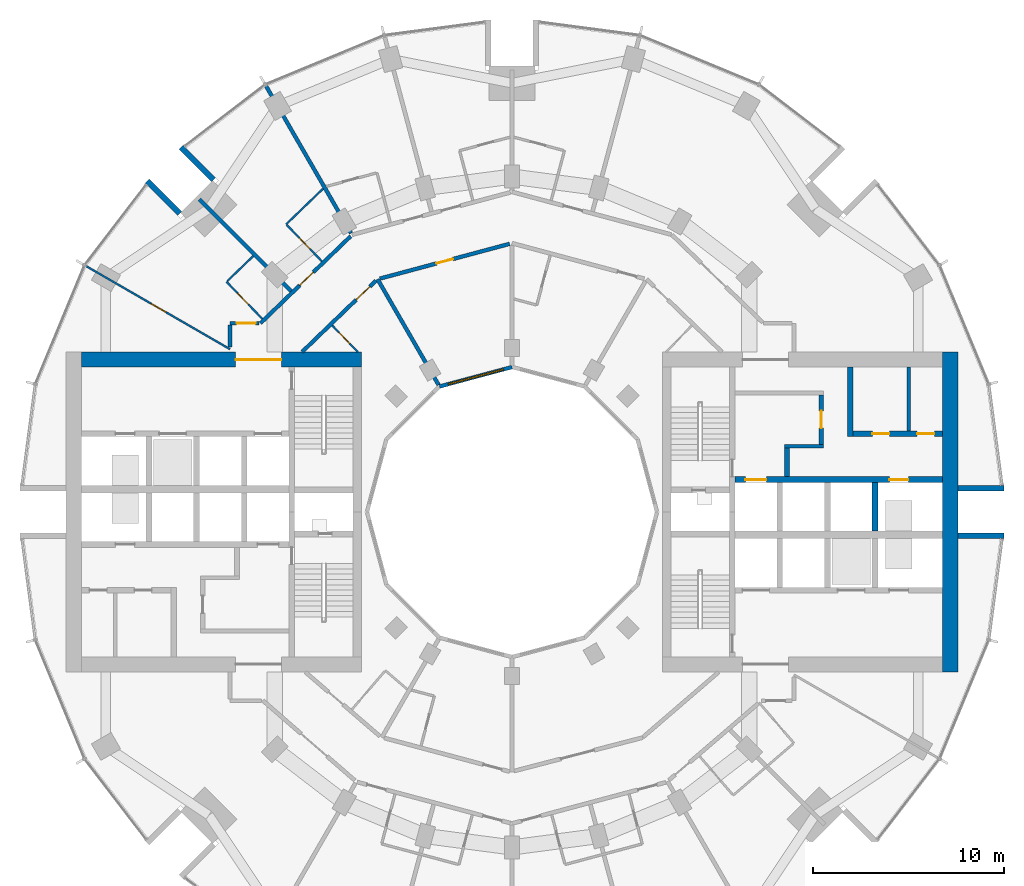
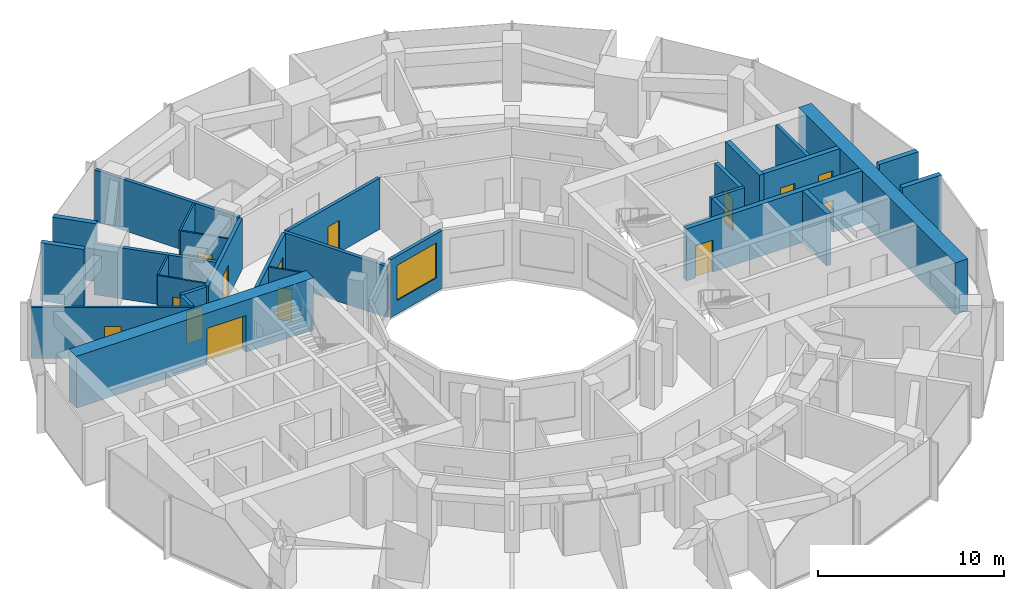
# One storey, part 11 of 15: 29 walls, 14 doors, 1 window, 15 openings.
"""IFC4 building model written with IfcOpenShell, lengths in metres."""

from ifc_helpers import new_model, si_unit, direction, frame, frame_2d, origin, place, context, subcontext, project, spatial, rectangle, extrude, material, layer, layer_set, type_object, element, fill, save


model = new_model("IFC4")

# Units and contexts
model_context = context("Model", 3, precision=1e-05, world=origin(), true_north=direction((0.0, 1.0)))
body_context = subcontext(model_context, "Body", "Model", "MODEL_VIEW")
ifc_project = project(units=[si_unit("LENGTHUNIT", "METRE"), si_unit("AREAUNIT", "SQUARE_METRE"), si_unit("VOLUMEUNIT", "CUBIC_METRE"), si_unit("PLANEANGLEUNIT", "RADIAN"), si_unit("MASSUNIT", "GRAM", prefix="KILO")], contexts=[model_context])

# Site, building, storey
site_placement = place(None, origin())
site = spatial("IfcSite", under=ifc_project, at=site_placement, CompositionType="ELEMENT")
building_placement = place(site_placement, origin())
building = spatial("IfcBuilding", under=site, at=building_placement, Name="Torre Brocal", CompositionType="ELEMENT")
storey_placement = place(building_placement, frame((0.0, 0.0, 70.60009765625)))
storey = spatial("IfcBuildingStorey", under=building, at=storey_placement, Name="L16", CompositionType="ELEMENT", Elevation=70.60009765625)

# Walls
ifc_material_1 = material(Name="Masonry block", Category="masonry")
ifc_layer_1 = layer(ifc_material_1, 0.199951171875)
ifc_layer_set_1 = layer_set([ifc_layer_1], Name="Masonry block")
wall_type_1 = type_object("IfcWallType", Name="CORE PARTITION 200 UNDER 400 SLAB", PredefinedType="PARTITIONING", material=ifc_layer_set_1)
wall_1_placement = place(storey_placement, frame((100.81396484375, 79.25, 0.0), z_axis=(0.0, 0.0, 1.0), x_axis=(0.0, 1.0, 0.0)))
element("IfcWall", 1, at=wall_1_placement, inside=storey, type_object=wall_type_1, Name="Wall CP200-S400", PredefinedType="PARTITIONING", context=body_context, shape_type="SweptSolid", body=[
    extrude(rectangle(XDim=3.35009765625, YDim=0.199951171875, at=frame_2d((1.675048828125, 0.0))), origin(), (0.0, 0.0, 1.0), 3.39990234375),
])
ifc_material_2 = material(Name="Concrete C80", Category="concrete")
ifc_layer_2 = layer(ifc_material_2, 0.199951171875)
ifc_layer_set_2 = layer_set([ifc_layer_2], Name="Concrete C80")
wall_type_2 = type_object("IfcWallType", Name="CORE WALL 200 C80 UNDER 400 SLAB", PredefinedType="SHEAR", material=ifc_layer_set_2)
wall_2_placement = place(storey_placement, frame((94.300048828125, 78.449951171875, 0.0), z_axis=(0.0, 0.0, 1.0), x_axis=(1.0, 0.0, 0.0)))
element("IfcWall", 2, at=wall_2_placement, inside=storey, type_object=wall_type_2, Name="Wall CW200-80-S400", PredefinedType="SHEAR", context=body_context, shape_type="SweptSolid", body=[
    extrude(rectangle(XDim=2.050048828125, YDim=0.199951171875, at=frame_2d((1.02490234375, 0.0))), origin(), (0.0, 0.0, 1.0), 3.39990234375),
])

# Wall, opening, door
ifc_material_3 = material(Name="Concrete C80", Category="concrete")
ifc_layer_3 = layer(ifc_material_3, 0.25)
ifc_layer_set_3 = layer_set([ifc_layer_3], Name="Concrete C80")
wall_type_3 = type_object("IfcWallType", Name="CORE WALL 250 C80 UNDER 400 SLAB", PredefinedType="SHEAR", material=ifc_layer_set_3)
wall_3_placement = place(storey_placement, frame((96.22509765625, 78.550048828125, 0.0), z_axis=(0.0, 0.0, 1.0), x_axis=(0.0, 1.0, 0.0)))
wall_3 = element("IfcWall", 3, at=wall_3_placement, inside=storey, type_object=wall_type_3, Name="Wall CW250-80-S400", PredefinedType="SHEAR", context=body_context, shape_type="SweptSolid", body=[
    extrude(rectangle(XDim=2.599853515625, YDim=0.25, at=frame_2d((1.2998046875, 0.0))), origin(), (0.0, 0.0, 1.0), 3.39990234375),
])
opening_1_placement = place(wall_3_placement, frame((0.85009765625, 0.0, 0.0)))
opening_1 = element("IfcOpeningElement", 4, at=opening_1_placement, cuts=wall_3, Name="Opening E-D15", PredefinedType="OPENING", context=body_context, shape_type="SweptSolid", body=[
    extrude(rectangle(XDim=0.89990234375, YDim=2.10009765625, at=frame_2d((0.449951171875, 1.050048828125))), frame((0.0, 0.135009765625, 0.0), z_axis=(0.0, -1.0, 0.0), x_axis=(1.0, 0.0, 0.0)), (0.0, 0.0, 1.0), 0.27001953125),
])
ifc_material_4 = material(Name="Steel A653", Category="steel")
door_type_1 = type_object("IfcDoorType", Name="LOBBY DOOR FD120 900X2100", OperationType="SINGLE_SWING_RIGHT", PredefinedType="DOOR", material=ifc_material_4)
door_1_placement = place(opening_1_placement, origin())
door_1 = element("IfcDoor", 5, at=door_1_placement, inside=storey, type_object=door_type_1, Name="Door E-D15", OperationType="SINGLE_SWING_LEFT", OverallHeight=2.10009765625, OverallWidth=0.89990234375, PredefinedType="DOOR", context=body_context, shape_type="SweptSolid", body=[
    extrude(rectangle(XDim=0.89990234375, YDim=2.10009765625, at=frame_2d((0.449951171875, 1.050048828125))), frame((0.0, 0.02490234375, 0.0), z_axis=(0.0, -1.0, 0.0), x_axis=(1.0, 0.0, 0.0)), (0.0, 0.0, 1.0), 0.050048828125),
])
fill(opening_1, door_1)

# Wall
wall_4_placement = place(storey_placement, frame((94.425048828125, 76.85009765625, 0.0), z_axis=(0.0, 0.0, 1.0), x_axis=(0.0, 1.0, 0.0)))
element("IfcWall", 6, at=wall_4_placement, inside=storey, type_object=wall_type_3, Name="Wall CW250-80-S400", PredefinedType="SHEAR", context=body_context, shape_type="SweptSolid", body=[
    extrude(rectangle(XDim=1.5, YDim=0.25, at=frame_2d((0.75, 0.0))), origin(), (0.0, 0.0, 1.0), 3.39990234375),
])

# Wall, openings, doors
ifc_material_5 = material(Name="Concrete C80", Category="concrete")
ifc_layer_4 = layer(ifc_material_5, 0.300048828125)
ifc_layer_set_4 = layer_set([ifc_layer_4], Name="Concrete C80")
wall_type_4 = type_object("IfcWallType", Name="CORE WALL 300 C80 UNDER 400 SLAB", PredefinedType="SHEAR", material=ifc_layer_set_4)
wall_5_placement = place(storey_placement, frame((91.699951171875, 76.699951171875, 0.0), z_axis=(0.0, 0.0, 1.0), x_axis=(1.0, 0.0, 0.0)))
wall_5 = element("IfcWall", 7, at=wall_5_placement, inside=storey, type_object=wall_type_4, Name="Wall CW300-80-S400", PredefinedType="SHEAR", context=body_context, shape_type="SweptSolid", body=[
    extrude(rectangle(XDim=10.900146484375, YDim=0.300048828125, at=frame_2d((5.4501953125, 0.0))), origin(), (0.0, 0.0, 1.0), 3.39990234375),
])
opening_2_placement = place(wall_5_placement, frame((0.550048828125, 0.0, 0.0)))
opening_2 = element("IfcOpeningElement", 8, at=opening_2_placement, cuts=wall_5, Name="Opening LD", PredefinedType="OPENING", context=body_context, shape_type="SweptSolid", body=[
    extrude(rectangle(XDim=1.10009765625, YDim=2.10009765625, at=frame_2d((0.550048828125, 1.050048828125))), frame((0.0, 0.159912109375, 0.0), z_axis=(0.0, -1.0, 0.0), x_axis=(1.0, 0.0, 0.0)), (0.0, 0.0, 1.0), 0.320068359375),
])
opening_3_placement = place(wall_5_placement, frame((8.10009765625, 0.0, 0.0)))
opening_3 = element("IfcOpeningElement", 9, at=opening_3_placement, cuts=wall_5, Name="Opening LD10", PredefinedType="OPENING", context=body_context, shape_type="SweptSolid", body=[
    extrude(rectangle(XDim=1.0, YDim=2.10009765625, at=frame_2d((0.5, 1.050048828125))), frame((0.0, 0.159912109375, 0.0), z_axis=(0.0, -1.0, 0.0), x_axis=(1.0, 0.0, 0.0)), (0.0, 0.0, 1.0), 0.320068359375),
])
ifc_material_6 = material(Name="Stainless steel AISI 316", Category="steel")
door_type_2 = type_object("IfcDoorType", Name="LIFT LANDING DOOR 1000X2100", OperationType="DOUBLE_DOOR_SLIDING", PredefinedType="DOOR", material=ifc_material_6)
door_2_placement = place(opening_3_placement, origin())
door_2 = element("IfcDoor", 10, at=door_2_placement, inside=storey, type_object=door_type_2, Name="Door LD10", OperationType="DOUBLE_DOOR_SLIDING", OverallHeight=2.10009765625, OverallWidth=1.0, PredefinedType="DOOR", context=body_context, shape_type="SweptSolid", body=[
    extrude(rectangle(XDim=1.0, YDim=2.10009765625, at=frame_2d((0.5, 1.050048828125))), frame((0.0, 0.02490234375, 0.0), z_axis=(0.0, -1.0, 0.0), x_axis=(1.0, 0.0, 0.0)), (0.0, 0.0, 1.0), 0.050048828125),
])
fill(opening_3, door_2)
ifc_material_7 = material(Name="Stainless steel AISI 316", Category="steel")
door_type_3 = type_object("IfcDoorType", Name="LIFT LANDING DOOR 1100X2100", OperationType="DOUBLE_DOOR_SLIDING", PredefinedType="DOOR", material=ifc_material_7)
door_3_placement = place(opening_2_placement, origin())
door_3 = element("IfcDoor", 11, at=door_3_placement, inside=storey, type_object=door_type_3, Name="Door LD", OperationType="DOUBLE_DOOR_SLIDING", OverallHeight=2.10009765625, OverallWidth=1.10009765625, PredefinedType="DOOR", context=body_context, shape_type="SweptSolid", body=[
    extrude(rectangle(XDim=1.10009765625, YDim=2.10009765625, at=frame_2d((0.550048828125, 1.050048828125))), frame((0.0, 0.02490234375, 0.0), z_axis=(0.0, -1.0, 0.0), x_axis=(1.0, 0.0, 0.0)), (0.0, 0.0, 1.0), 0.050048828125),
])
fill(opening_2, door_3)

# Walls
wall_6_placement = place(storey_placement, frame((99.050048828125, 74.0, 0.0), z_axis=(0.0, 0.0, 1.0), x_axis=(0.0, 1.0, 0.0)))
element("IfcWall", 12, at=wall_6_placement, inside=storey, type_object=wall_type_4, Name="Wall CW300-80-S400", PredefinedType="SHEAR", context=body_context, shape_type="SweptSolid", body=[
    extrude(rectangle(XDim=2.550048828125, YDim=0.300048828125, at=frame_2d((1.27490234375, 0.0))), origin(), (0.0, 0.0, 1.0), 3.39990234375),
])
wall_7_placement = place(storey_placement, frame((97.75, 78.949951171875, 0.0), z_axis=(0.0, 0.0, 1.0), x_axis=(0.0, 1.0, 0.0)))
element("IfcWall", 13, at=wall_7_placement, inside=storey, type_object=wall_type_4, Name="Wall CW300-80-S400", PredefinedType="SHEAR", context=body_context, shape_type="SweptSolid", body=[
    extrude(rectangle(XDim=3.650146484375, YDim=0.300048828125, at=frame_2d((1.8251953125, 0.0))), origin(), (0.0, 0.0, 1.0), 3.39990234375),
])

# Wall, openings, doors
wall_8_placement = place(storey_placement, frame((97.89990234375, 79.10009765625, 0.0), z_axis=(0.0, 0.0, 1.0), x_axis=(1.0, 0.0, 0.0)))
wall_8 = element("IfcWall", 14, at=wall_8_placement, inside=storey, type_object=wall_type_4, Name="Wall CW300-80-S400", PredefinedType="SHEAR", context=body_context, shape_type="SweptSolid", body=[
    extrude(rectangle(XDim=4.7001953125, YDim=0.300048828125, at=frame_2d((2.35009765625, 0.0))), origin(), (0.0, 0.0, 1.0), 3.39990234375),
])
opening_4_placement = place(wall_8_placement, frame((1.007080078125, 0.0, 0.0)))
opening_4 = element("IfcOpeningElement", 15, at=opening_4_placement, cuts=wall_8, Name="Opening E-D05", PredefinedType="OPENING", context=body_context, shape_type="SweptSolid", body=[
    extrude(rectangle(XDim=0.89990234375, YDim=2.10009765625, at=frame_2d((0.449951171875, 1.050048828125))), frame((0.0, 0.159912109375, 0.0), z_axis=(0.0, -1.0, 0.0), x_axis=(1.0, 0.0, 0.0)), (0.0, 0.0, 1.0), 0.320068359375),
])
opening_5_placement = place(wall_8_placement, frame((3.35693359375, 0.0, 0.0)))
opening_5 = element("IfcOpeningElement", 16, at=opening_5_placement, cuts=wall_8, Name="Opening E-D06", PredefinedType="OPENING", context=body_context, shape_type="SweptSolid", body=[
    extrude(rectangle(XDim=0.89990234375, YDim=2.10009765625, at=frame_2d((0.449951171875, 1.050048828125))), frame((0.0, 0.159912109375, 0.0), z_axis=(0.0, -1.0, 0.0), x_axis=(1.0, 0.0, 0.0)), (0.0, 0.0, 1.0), 0.320068359375),
])
ifc_material_8 = material(Name="Steel A653", Category="steel")
door_type_4 = type_object("IfcDoorType", Name="ROOM DOOR FD30S 900X2100", OperationType="SINGLE_SWING_LEFT", PredefinedType="DOOR", material=ifc_material_8)
door_4_placement = place(opening_4_placement, origin())
door_4 = element("IfcDoor", 17, at=door_4_placement, inside=storey, type_object=door_type_4, Name="Door E-D05", OperationType="SINGLE_SWING_RIGHT", OverallHeight=2.10009765625, OverallWidth=0.89990234375, PredefinedType="DOOR", context=body_context, shape_type="SweptSolid", body=[
    extrude(rectangle(XDim=0.89990234375, YDim=2.10009765625, at=frame_2d((0.449951171875, 1.050048828125))), frame((0.0, 0.02490234375, 0.0), z_axis=(0.0, -1.0, 0.0), x_axis=(1.0, 0.0, 0.0)), (0.0, 0.0, 1.0), 0.050048828125),
])
fill(opening_4, door_4)
door_5_placement = place(opening_5_placement, origin())
door_5 = element("IfcDoor", 18, at=door_5_placement, inside=storey, type_object=door_type_4, Name="Door E-D06", OperationType="SINGLE_SWING_LEFT", OverallHeight=2.10009765625, OverallWidth=0.89990234375, PredefinedType="DOOR", context=body_context, shape_type="SweptSolid", body=[
    extrude(rectangle(XDim=0.89990234375, YDim=2.10009765625, at=frame_2d((0.449951171875, 1.050048828125))), frame((0.0, 0.02490234375, 0.0), z_axis=(0.0, -1.0, 0.0), x_axis=(1.0, 0.0, 0.0)), (0.0, 0.0, 1.0), 0.050048828125),
])
fill(opening_5, door_5)

# Wall
ifc_material_9 = material(Name="Concrete C80", Category="concrete")
ifc_layer_5 = layer(ifc_material_9, 0.800048828125)
ifc_layer_set_5 = layer_set([ifc_layer_5], Name="Concrete C80")
wall_type_5 = type_object("IfcWallType", Name="CORE WALL 800 C80 UNDER 400 SLAB", PredefinedType="SHEAR", material=ifc_layer_set_5)
wall_9_placement = place(storey_placement, frame((103.0, 66.60009765625, 0.0), z_axis=(0.0, 0.0, 1.0), x_axis=(0.0, 1.0, 0.0)))
element("IfcWall", 19, at=wall_9_placement, inside=storey, type_object=wall_type_5, Name="Wall CW800-80-S400", PredefinedType="SHEAR", context=body_context, shape_type="SweptSolid", body=[
    extrude(rectangle(XDim=16.7998046875, YDim=0.800048828125, at=frame_2d((8.39990234375, 0.0))), origin(), (0.0, 0.0, 1.0), 3.39990234375),
])

# Wall, opening, door
wall_10_placement = place(storey_placement, frame((72.10009765625, 83.0, 0.0), z_axis=(0.0, 0.0, 1.0), x_axis=(-1.0, 0.0, 0.0)))
wall_10 = element("IfcWall", 20, at=wall_10_placement, inside=storey, type_object=wall_type_5, Name="Wall CW800-80-S400", PredefinedType="SHEAR", context=body_context, shape_type="SweptSolid", body=[
    extrude(rectangle(XDim=14.7001953125, YDim=0.800048828125, at=frame_2d((7.35009765625, 0.0))), origin(), (0.0, 0.0, 1.0), 3.39990234375),
])
opening_6_placement = place(wall_10_placement, frame((4.199951171875, 0.0, 0.0)))
opening_6 = element("IfcOpeningElement", 21, at=opening_6_placement, cuts=wall_10, Name="Opening W-D27", PredefinedType="OPENING", context=body_context, shape_type="SweptSolid", body=[
    extrude(rectangle(XDim=2.39990234375, YDim=2.39990234375, at=frame_2d((1.199951171875, 1.199951171875))), frame((0.0, 0.409912109375, 0.0), z_axis=(0.0, -1.0, 0.0), x_axis=(1.0, 0.0, 0.0)), (0.0, 0.0, 1.0), 0.820068359375),
])
ifc_material_10 = material(Name="Steel A653", Category="steel")
door_type_5 = type_object("IfcDoorType", Name="DOUBLE FIRE DOOR FD90 2400X2400", OperationType="DOUBLE_DOOR_SINGLE_SWING", PredefinedType="DOOR", material=ifc_material_10)
door_6_placement = place(opening_6_placement, origin())
door_6 = element("IfcDoor", 22, at=door_6_placement, inside=storey, type_object=door_type_5, Name="Door W-D27", OperationType="DOUBLE_DOOR_SINGLE_SWING", OverallHeight=2.39990234375, OverallWidth=2.39990234375, PredefinedType="DOOR", context=body_context, shape_type="SweptSolid", body=[
    extrude(rectangle(XDim=2.39990234375, YDim=2.39990234375, at=frame_2d((1.199951171875, 1.199951171875))), frame((0.0, 0.02490234375, 0.0), z_axis=(0.0, -1.0, 0.0), x_axis=(1.0, 0.0, 0.0)), (0.0, 0.0, 1.0), 0.050048828125),
])
fill(opening_6, door_6)

# Walls
ifc_material_11 = material(Name="Concrete C80", Category="concrete")
ifc_layer_6 = layer(ifc_material_11, 0.300048828125)
ifc_layer_set_6 = layer_set([ifc_layer_6], Name="Concrete C80")
wall_type_6 = type_object("IfcWallType", Name="NOTCH RETURN WALL 300 C80", PredefinedType="NOTDEFINED", material=ifc_layer_set_6)
for number, where, z_axis, x_axis, name in (
    (23, (103.39990234375, 73.75, 0.0), (0.0, 0.0, 1.0), (1.0, 0.0, 0.0), "NOTCH RETURN WALL"),
    (24, (103.39990234375, 76.25, 0.0), (0.0, 0.0, 1.0), (1.0, 0.0, 0.0), "NOTCH RETURN WALL"),
    (25, (64.337646484375, 92.43017578125, 0.0), (0.0, 0.0, 1.0), (-0.707106781187, 0.707106781187, 0.0), "NOTCH RETURN WALL"),
    (26, (62.56982421875, 90.662353515625, 0.0), (0.0, 0.0, 1.0), (-0.707106781187, 0.707106781187, 0.0), "NOTCH RETURN WALL"),
):
    element("IfcWall", number, at=place(storey_placement, frame(where, z_axis=z_axis, x_axis=x_axis)), inside=storey, type_object=wall_type_6, Name=name, PredefinedType="NOTDEFINED", context=body_context, shape_type="SweptSolid", body=[
        extrude(rectangle(XDim=2.415771484375, YDim=0.300048828125, at=frame_2d((1.2080078125, 0.0))), origin(), (0.0, 0.0, 1.0), 3.7998046875),
    ])

# Wall, opening, door
ifc_material_12 = material(Name="Gypsum board", Category="Gypsum")
ifc_layer_7 = layer(ifc_material_12, 0.10009765625)
ifc_layer_set_7 = layer_set([ifc_layer_7], Name="Gypsum board")
wall_type_7 = type_object("IfcWallType", Name="PARTITION 100", PredefinedType="PARTITIONING", material=ifc_layer_set_7)
wall_11_placement = place(storey_placement, frame((57.65869140625, 87.89892578125, 0.0), z_axis=(0.0, 0.0, 1.0), x_axis=(0.86602264145, -0.500004784474, 0.0)))
wall_11 = element("IfcWall", 27, at=wall_11_placement, inside=storey, type_object=wall_type_7, Name="ROOM PARTITION", PredefinedType="PARTITIONING", context=body_context, shape_type="SweptSolid", body=[
    extrude(rectangle(XDim=8.7080078125, YDim=0.10009765625, at=frame_2d((4.35400390625, 0.0))), origin(), (0.0, 0.0, 1.0), 3.349853515625),
])
opening_7_placement = place(wall_11_placement, frame((3.928955078125, 0.0, 0.0)))
opening_7 = element("IfcOpeningElement", 28, at=opening_7_placement, cuts=wall_11, Name="Opening H04-D12", PredefinedType="OPENING", context=body_context, shape_type="SweptSolid", body=[
    extrude(rectangle(XDim=0.89990234375, YDim=2.10009765625, at=frame_2d((0.449951171875, 1.050048828125))), frame((0.0, 0.06005859375, 0.0), z_axis=(0.0, -1.0, 0.0), x_axis=(1.0, 0.0, 0.0)), (0.0, 0.0, 1.0), 0.1201171875),
])
ifc_material_13 = material(Name="Timber", Category="wood")
door_type_6 = type_object("IfcDoorType", Name="ROOM DOOR 900X2100", OperationType="SINGLE_SWING_LEFT", PredefinedType="DOOR", material=ifc_material_13)
door_7_placement = place(opening_7_placement, frame((0.89990234375, 0.0, 0.0), z_axis=(0.0, 0.0, 1.0), x_axis=(-1.0, 0.0, 0.0)))
door_7 = element("IfcDoor", 29, at=door_7_placement, inside=storey, type_object=door_type_6, Name="H04-D12", OperationType="SINGLE_SWING_LEFT", OverallHeight=2.10009765625, OverallWidth=0.89990234375, PredefinedType="DOOR", context=body_context, shape_type="SweptSolid", body=[
    extrude(rectangle(XDim=0.89990234375, YDim=2.10009765625, at=frame_2d((0.449951171875, 1.050048828125))), frame((0.0, 0.02490234375, 0.0), z_axis=(0.0, -1.0, 0.0), x_axis=(1.0, 0.0, 0.0)), (0.0, 0.0, 1.0), 0.050048828125),
])
fill(opening_7, door_7)

# Wall
wall_12_placement = place(storey_placement, frame((65.058837890625, 87.11376953125, 0.0), z_axis=(0.0, 0.0, 1.0), x_axis=(0.719715847356, 0.694268751324, 0.0)))
element("IfcWall", 30, at=wall_12_placement, inside=storey, type_object=wall_type_7, Name="BATHROOM WALL", PredefinedType="PARTITIONING", context=body_context, shape_type="SweptSolid", body=[
    extrude(rectangle(XDim=1.899658203125, YDim=0.10009765625, at=frame_2d((0.94970703125, 0.0))), origin(), (0.0, 0.0, 1.0), 3.349853515625),
])

# Wall, opening, door
wall_13_placement = place(storey_placement, frame((65.02294921875, 87.0791015625, 0.0), z_axis=(0.0, 0.0, 1.0), x_axis=(0.694287838235, -0.719697434815, 0.0)))
wall_13 = element("IfcWall", 31, at=wall_13_placement, inside=storey, type_object=wall_type_7, Name="BATHROOM WALL", PredefinedType="PARTITIONING", context=body_context, shape_type="SweptSolid", body=[
    extrude(rectangle(XDim=2.699951171875, YDim=0.10009765625, at=frame_2d((1.35009765625, 0.0))), origin(), (0.0, 0.0, 1.0), 3.349853515625),
])
opening_8_placement = place(wall_13_placement, frame((0.849853515625, 0.0, 0.0)))
opening_8 = element("IfcOpeningElement", 32, at=opening_8_placement, cuts=wall_13, Name="Opening H04-D11", PredefinedType="OPENING", context=body_context, shape_type="SweptSolid", body=[
    extrude(rectangle(XDim=0.800048828125, YDim=2.10009765625, at=frame_2d((0.39990234375, 1.050048828125))), frame((0.0, 0.06005859375, 0.0), z_axis=(0.0, -1.0, 0.0), x_axis=(1.0, 0.0, 0.0)), (0.0, 0.0, 1.0), 0.1201171875),
])
ifc_material_14 = material(Name="Timber", Category="wood")
door_type_7 = type_object("IfcDoorType", Name="BATHROOM DOOR 800X2100", OperationType="SINGLE_SWING_LEFT", PredefinedType="DOOR", material=ifc_material_14)
door_8_placement = place(opening_8_placement, origin())
door_8 = element("IfcDoor", 33, at=door_8_placement, inside=storey, type_object=door_type_7, Name="H04-D11", OperationType="SINGLE_SWING_LEFT", OverallHeight=2.10009765625, OverallWidth=0.800048828125, PredefinedType="DOOR", context=body_context, shape_type="SweptSolid", body=[
    extrude(rectangle(XDim=0.800048828125, YDim=2.10009765625, at=frame_2d((0.39990234375, 1.050048828125))), frame((0.0, 0.02490234375, 0.0), z_axis=(0.0, -1.0, 0.0), x_axis=(1.0, 0.0, 0.0)), (0.0, 0.0, 1.0), 0.050048828125),
])
fill(opening_8, door_8)

wall_14_placement = place(storey_placement, frame((68.184814453125, 90.06005859375, 0.0), z_axis=(0.0, 0.0, 1.0), x_axis=(0.69446127412, -0.719530081892, 0.0)))
wall_14 = element("IfcWall", 34, at=wall_14_placement, inside=storey, type_object=wall_type_7, Name="BATHROOM WALL", PredefinedType="PARTITIONING", context=body_context, shape_type="SweptSolid", body=[
    extrude(rectangle(XDim=2.64892578125, YDim=0.10009765625, at=frame_2d((1.324462890625, 0.0))), origin(), (0.0, 0.0, 1.0), 3.349853515625),
])
opening_9_placement = place(wall_14_placement, frame((0.94970703125, 0.0, 0.0)))
opening_9 = element("IfcOpeningElement", 35, at=opening_9_placement, cuts=wall_14, Name="Opening H04-D09", PredefinedType="OPENING", context=body_context, shape_type="SweptSolid", body=[
    extrude(rectangle(XDim=0.800048828125, YDim=2.10009765625, at=frame_2d((0.39990234375, 1.050048828125))), frame((0.0, 0.06005859375, 0.0), z_axis=(0.0, -1.0, 0.0), x_axis=(1.0, 0.0, 0.0)), (0.0, 0.0, 1.0), 0.1201171875),
])
door_9_placement = place(opening_9_placement, origin())
door_9 = element("IfcDoor", 36, at=door_9_placement, inside=storey, type_object=door_type_7, Name="H04-D09", OperationType="SINGLE_SWING_RIGHT", OverallHeight=2.10009765625, OverallWidth=0.800048828125, PredefinedType="DOOR", context=body_context, shape_type="SweptSolid", body=[
    extrude(rectangle(XDim=0.800048828125, YDim=2.10009765625, at=frame_2d((0.39990234375, 1.050048828125))), frame((0.0, 0.02490234375, 0.0), z_axis=(0.0, -1.0, 0.0), x_axis=(1.0, 0.0, 0.0)), (0.0, 0.0, 1.0), 0.050048828125),
])
fill(opening_9, door_9)

# Wall
wall_15_placement = place(storey_placement, frame((68.150146484375, 90.095947265625, 0.0), z_axis=(0.0, 0.0, 1.0), x_axis=(0.719669144226, 0.694317163009, 0.0)))
element("IfcWall", 37, at=wall_15_placement, inside=storey, type_object=wall_type_7, Name="BATHROOM WALL", PredefinedType="PARTITIONING", context=body_context, shape_type="SweptSolid", body=[
    extrude(rectangle(XDim=2.686767578125, YDim=0.10009765625, at=frame_2d((1.34326171875, 0.0))), origin(), (0.0, 0.0, 1.0), 3.349853515625),
])

# Wall, opening, door
wall_16_placement = place(storey_placement, frame((70.5673828125, 84.785888671875, 0.0), z_axis=(0.0, 0.0, 1.0), x_axis=(0.694447472534, -0.719543402368, 0.0)))
wall_16 = element("IfcWall", 38, at=wall_16_placement, inside=storey, type_object=wall_type_7, Name="BATHROOM WALL", PredefinedType="PARTITIONING", context=body_context, shape_type="SweptSolid", body=[
    extrude(rectangle(XDim=1.92626953125, YDim=0.10009765625, at=frame_2d((0.963134765625, 0.0))), origin(), (0.0, 0.0, 1.0), 3.349853515625),
])
opening_10_placement = place(wall_16_placement, frame((0.51318359375, 0.0, 0.0)))
opening_10 = element("IfcOpeningElement", 39, at=opening_10_placement, cuts=wall_16, Name="Opening H04-D19", PredefinedType="OPENING", context=body_context, shape_type="SweptSolid", body=[
    extrude(rectangle(XDim=0.800048828125, YDim=2.10009765625, at=frame_2d((0.39990234375, 1.050048828125))), frame((0.0, 0.06005859375, 0.0), z_axis=(0.0, -1.0, 0.0), x_axis=(1.0, 0.0, 0.0)), (0.0, 0.0, 1.0), 0.1201171875),
])
door_10_placement = place(opening_10_placement, frame((0.800048828125, 0.0, 0.0), z_axis=(0.0, 0.0, 1.0), x_axis=(-1.0, 0.0, 0.0)))
door_10 = element("IfcDoor", 40, at=door_10_placement, inside=storey, type_object=door_type_7, Name="H04-D19", OperationType="SINGLE_SWING_RIGHT", OverallHeight=2.10009765625, OverallWidth=0.800048828125, PredefinedType="DOOR", context=body_context, shape_type="SweptSolid", body=[
    extrude(rectangle(XDim=0.800048828125, YDim=2.10009765625, at=frame_2d((0.39990234375, 1.050048828125))), frame((0.0, 0.02490234375, 0.0), z_axis=(0.0, -1.0, 0.0), x_axis=(1.0, 0.0, 0.0)), (0.0, 0.0, 1.0), 0.050048828125),
])
fill(opening_10, door_10)

# Walls
ifc_material_15 = material(Name="Gypsum board", Category="Gypsum")
ifc_layer_8 = layer(ifc_material_15, 0.199951171875)
ifc_layer_set_8 = layer_set([ifc_layer_8], Name="Gypsum board")
wall_type_8 = type_object("IfcWallType", Name="PARTITION 200 EI60", PredefinedType="PARTITIONING", material=ifc_layer_set_8)
wall_17_placement = place(storey_placement, frame((63.59765625, 91.4072265625, 0.0), z_axis=(0.0, 0.0, 1.0), x_axis=(0.706981202484, -0.707232337591, 0.0)))
element("IfcWall", 41, at=wall_17_placement, inside=storey, type_object=wall_type_8, Name="BATHROOM WALL", PredefinedType="PARTITIONING", context=body_context, shape_type="SweptSolid", body=[
    extrude(rectangle(XDim=6.804931640625, YDim=0.199951171875, at=frame_2d((3.40234375, 0.0))), origin(), (0.0, 0.0, 1.0), 3.349853515625),
])
wall_18_placement = place(storey_placement, frame((65.199951171875, 83.64990234375, 0.0), z_axis=(0.0, 0.0, 1.0), x_axis=(0.0, 1.0, 0.0)))
element("IfcWall", 42, at=wall_18_placement, inside=storey, type_object=wall_type_8, Name="GUESTROOM CORRIDOR WALL", PredefinedType="PARTITIONING", context=body_context, shape_type="SweptSolid", body=[
    extrude(rectangle(XDim=1.150146484375, YDim=0.199951171875, at=frame_2d((0.5751953125, 0.0))), origin(), (0.0, 0.0, 1.0), 3.349853515625),
])

# Wall, opening, door
wall_19_placement = place(storey_placement, frame((65.199951171875, 84.89990234375, 0.0), z_axis=(0.0, 0.0, 1.0), x_axis=(1.0, 0.0, 0.0)))
wall_19 = element("IfcWall", 43, at=wall_19_placement, inside=storey, type_object=wall_type_8, Name="GUESTROOM CORRIDOR WALL", PredefinedType="PARTITIONING", context=body_context, shape_type="SweptSolid", body=[
    extrude(rectangle(XDim=1.537109375, YDim=0.199951171875, at=frame_2d((0.7685546875, 0.0))), origin(), (0.0, 0.0, 1.0), 3.349853515625),
])
opening_11_placement = place(wall_19_placement, frame((0.346923828125, 0.0, 0.0)))
opening_11 = element("IfcOpeningElement", 44, at=opening_11_placement, cuts=wall_19, Name="Opening H04-D10", PredefinedType="OPENING", context=body_context, shape_type="SweptSolid", body=[
    extrude(rectangle(XDim=1.0, YDim=2.10009765625, at=frame_2d((0.5, 1.050048828125))), frame((0.0, 0.10986328125, 0.0), z_axis=(0.0, -1.0, 0.0), x_axis=(1.0, 0.0, 0.0)), (0.0, 0.0, 1.0), 0.219970703125),
])
ifc_material_16 = material(Name="Timber", Category="wood")
door_type_8 = type_object("IfcDoorType", Name="FLAT ENTRY DOOR FD30S 1000X2100", OperationType="SINGLE_SWING_RIGHT", PredefinedType="DOOR", material=ifc_material_16)
door_11_placement = place(opening_11_placement, origin())
door_11 = element("IfcDoor", 45, at=door_11_placement, inside=storey, type_object=door_type_8, Name="H04-D10", OperationType="SINGLE_SWING_LEFT", OverallHeight=2.10009765625, OverallWidth=1.0, PredefinedType="DOOR", context=body_context, shape_type="SweptSolid", body=[
    extrude(rectangle(XDim=1.0, YDim=2.10009765625, at=frame_2d((0.5, 1.050048828125))), frame((0.0, 0.02490234375, 0.0), z_axis=(0.0, -1.0, 0.0), x_axis=(1.0, 0.0, 0.0)), (0.0, 0.0, 1.0), 0.050048828125),
])
fill(opening_11, door_11)

wall_20_placement = place(storey_placement, frame((66.796630859375, 84.900390625, 0.0), z_axis=(0.0, 0.0, 1.0), x_axis=(0.719692092412, 0.694293376116, 0.0)))
wall_20 = element("IfcWall", 46, at=wall_20_placement, inside=storey, type_object=wall_type_8, Name="GUESTROOM CORRIDOR WALL", PredefinedType="PARTITIONING", context=body_context, shape_type="SweptSolid", body=[
    extrude(rectangle(XDim=6.58447265625, YDim=0.199951171875, at=frame_2d((3.292236328125, 0.0))), origin(), (0.0, 0.0, 1.0), 3.349853515625),
])
opening_12_placement = place(wall_20_placement, frame((2.8662109375, 0.0, 0.0)))
opening_12 = element("IfcOpeningElement", 47, at=opening_12_placement, cuts=wall_20, Name="Opening H04-D08", PredefinedType="OPENING", context=body_context, shape_type="SweptSolid", body=[
    extrude(rectangle(XDim=1.0, YDim=2.10009765625, at=frame_2d((0.5, 1.050048828125))), frame((0.0, 0.10986328125, 0.0), z_axis=(0.0, -1.0, 0.0), x_axis=(1.0, 0.0, 0.0)), (0.0, 0.0, 1.0), 0.219970703125),
])
door_12_placement = place(opening_12_placement, origin())
door_12 = element("IfcDoor", 48, at=door_12_placement, inside=storey, type_object=door_type_8, Name="H04-D08", OperationType="SINGLE_SWING_LEFT", OverallHeight=2.10009765625, OverallWidth=1.0, PredefinedType="DOOR", context=body_context, shape_type="SweptSolid", body=[
    extrude(rectangle(XDim=1.0, YDim=2.10009765625, at=frame_2d((0.5, 1.050048828125))), frame((0.0, 0.02490234375, 0.0), z_axis=(0.0, -1.0, 0.0), x_axis=(1.0, 0.0, 0.0)), (0.0, 0.0, 1.0), 0.050048828125),
])
fill(opening_12, door_12)

# Wall
wall_21_placement = place(storey_placement, frame((67.101318359375, 97.341552734375, 0.0), z_axis=(0.0, 0.0, 1.0), x_axis=(0.499932813297, -0.866064190571, 0.0)))
element("IfcWall", 49, at=wall_21_placement, inside=storey, type_object=wall_type_8, Name="BATHROOM WALL", PredefinedType="PARTITIONING", context=body_context, shape_type="SweptSolid", body=[
    extrude(rectangle(XDim=8.907958984375, YDim=0.199951171875, at=frame_2d((4.4541015625, 0.0))), origin(), (0.0, 0.0, 1.0), 3.349853515625),
])

# Wall, opening, door
wall_22_placement = place(storey_placement, frame((68.987060546875, 83.39990234375, 0.0), z_axis=(0.0, 0.0, 1.0), x_axis=(0.719591503389, 0.694397629784, 0.0)))
wall_22 = element("IfcWall", 50, at=wall_22_placement, inside=storey, type_object=wall_type_8, Name="GUESTROOM CORRIDOR WALL", PredefinedType="PARTITIONING", context=body_context, shape_type="SweptSolid", body=[
    extrude(rectangle(XDim=5.378173828125, YDim=0.199951171875, at=frame_2d((2.68896484375, 0.0))), origin(), (0.0, 0.0, 1.0), 3.349853515625),
])
opening_13_placement = place(wall_22_placement, frame((3.93798828125, 0.0, 0.0)))
opening_13 = element("IfcOpeningElement", 51, at=opening_13_placement, cuts=wall_22, Name="Opening H04-D18", PredefinedType="OPENING", context=body_context, shape_type="SweptSolid", body=[
    extrude(rectangle(XDim=1.0, YDim=2.10009765625, at=frame_2d((0.5, 1.050048828125))), frame((0.0, 0.10986328125, 0.0), z_axis=(0.0, -1.0, 0.0), x_axis=(1.0, 0.0, 0.0)), (0.0, 0.0, 1.0), 0.219970703125),
])
door_13_placement = place(opening_13_placement, frame((1.0, 0.0, 0.0), z_axis=(0.0, 0.0, 1.0), x_axis=(-1.0, 0.0, 0.0)))
door_13 = element("IfcDoor", 52, at=door_13_placement, inside=storey, type_object=door_type_8, Name="H04-D18", OperationType="SINGLE_SWING_LEFT", OverallHeight=2.10009765625, OverallWidth=1.0, PredefinedType="DOOR", context=body_context, shape_type="SweptSolid", body=[
    extrude(rectangle(XDim=1.0, YDim=2.10009765625, at=frame_2d((0.5, 1.050048828125))), frame((0.0, 0.02490234375, 0.0), z_axis=(0.0, -1.0, 0.0), x_axis=(1.0, 0.0, 0.0)), (0.0, 0.0, 1.0), 0.050048828125),
])
fill(opening_13, door_13)

wall_23_placement = place(storey_placement, frame((73.0712890625, 87.2470703125, 0.0), z_axis=(0.0, 0.0, 1.0), x_axis=(0.965914318977, 0.258861987157, 0.0)))
wall_23 = element("IfcWall", 53, at=wall_23_placement, inside=storey, type_object=wall_type_8, Name="GUESTROOM CORRIDOR WALL", PredefinedType="PARTITIONING", context=body_context, shape_type="SweptSolid", body=[
    extrude(rectangle(XDim=7.043212890625, YDim=0.199951171875, at=frame_2d((3.521484375, 0.0))), origin(), (0.0, 0.0, 1.0), 3.349853515625),
])
opening_14_placement = place(wall_23_placement, frame((3.066650390625, 0.0, 0.0)))
opening_14 = element("IfcOpeningElement", 54, at=opening_14_placement, cuts=wall_23, Name="Opening H04-D17", PredefinedType="OPENING", context=body_context, shape_type="SweptSolid", body=[
    extrude(rectangle(XDim=0.89990234375, YDim=2.10009765625, at=frame_2d((0.449951171875, 1.050048828125))), frame((0.0, 0.10986328125, 0.0), z_axis=(0.0, -1.0, 0.0), x_axis=(1.0, 0.0, 0.0)), (0.0, 0.0, 1.0), 0.219970703125),
])
door_14_placement = place(opening_14_placement, frame((0.89990234375, 0.0, 0.0), z_axis=(0.0, 0.0, 1.0), x_axis=(-1.0, 0.0, 0.0)))
door_14 = element("IfcDoor", 55, at=door_14_placement, inside=storey, type_object=door_type_6, Name="H04-D17", OperationType="SINGLE_SWING_RIGHT", OverallHeight=2.10009765625, OverallWidth=0.89990234375, PredefinedType="DOOR", context=body_context, shape_type="SweptSolid", body=[
    extrude(rectangle(XDim=0.89990234375, YDim=2.10009765625, at=frame_2d((0.449951171875, 1.050048828125))), frame((0.0, 0.02490234375, 0.0), z_axis=(0.0, -1.0, 0.0), x_axis=(1.0, 0.0, 0.0)), (0.0, 0.0, 1.0), 0.050048828125),
])
fill(opening_14, door_14)

# Wall
wall_24_placement = place(storey_placement, frame((72.94775390625, 87.2138671875, 0.0), z_axis=(0.0, 0.0, 1.0), x_axis=(0.499927021214, -0.866067534006, 0.0)))
element("IfcWall", 56, at=wall_24_placement, inside=storey, type_object=wall_type_8, Name="SERVICE ROOM WALL", PredefinedType="PARTITIONING", context=body_context, shape_type="SweptSolid", body=[
    extrude(rectangle(XDim=6.4052734375, YDim=0.199951171875, at=frame_2d((3.20263671875, 0.0))), origin(), (0.0, 0.0, 1.0), 3.349853515625),
])

# Wall, opening, window
ifc_material_17 = material(Name="Concrete C40", Category="concrete")
ifc_layer_9 = layer(ifc_material_17, 0.199951171875)
ifc_layer_set_9 = layer_set([ifc_layer_9], Name="Concrete C40")
wall_type_9 = type_object("IfcWallType", Name="WELL FACADE WALL 200", PredefinedType="NOTDEFINED", material=ifc_layer_set_9)
wall_25_placement = place(storey_placement, frame((80.0, 82.603515625, 0.0), z_axis=(0.0, 0.0, 1.0), x_axis=(-0.965933654434, -0.258789828301, 0.0)))
wall_25 = element("IfcWall", 57, at=wall_25_placement, inside=storey, type_object=wall_type_9, Name="WELL FACADE WALL", PredefinedType="NOTDEFINED", context=body_context, shape_type="SweptSolid", body=[
    extrude(rectangle(XDim=3.935791015625, YDim=0.199951171875, at=frame_2d((1.9677734375, 0.0))), origin(), (0.0, 0.0, 1.0), 3.7998046875),
])
opening_15_placement = place(wall_25_placement, frame((0.468017578125, 0.0, 0.89990234375)))
opening_15 = element("IfcOpeningElement", 58, at=opening_15_placement, cuts=wall_25, Name="Opening W1", PredefinedType="OPENING", context=body_context, shape_type="SweptSolid", body=[
    extrude(rectangle(XDim=3.0, YDim=2.300048828125, at=frame_2d((1.5, 1.14990234375))), frame((0.0, 0.10986328125, 0.0), z_axis=(0.0, -1.0, 0.0), x_axis=(1.0, 0.0, 0.0)), (0.0, 0.0, 1.0), 0.219970703125),
])
ifc_material_18 = material(Name="Aluminium and glass", Category="aluminium")
window_type = type_object("IfcWindowType", Name="WELL WINDOW 3000X2300", PartitioningType="SINGLE_PANEL", PredefinedType="WINDOW", material=ifc_material_18)
window_placement = place(opening_15_placement, origin())
window = element("IfcWindow", 59, at=window_placement, inside=storey, type_object=window_type, Name="WELL WINDOW 3000X2300", OverallHeight=2.300048828125, OverallWidth=3.0, PartitioningType="SINGLE_PANEL", PredefinedType="WINDOW", context=body_context, shape_type="SweptSolid", body=[
    extrude(rectangle(XDim=3.0, YDim=2.300048828125, at=frame_2d((1.5, 1.14990234375))), frame((0.0, 0.030029296875, 0.0), z_axis=(0.0, -1.0, 0.0), x_axis=(1.0, 0.0, 0.0)), (0.0, 0.0, 1.0), 0.06005859375),
])
fill(opening_15, window)

save(model, "model.ifc")
